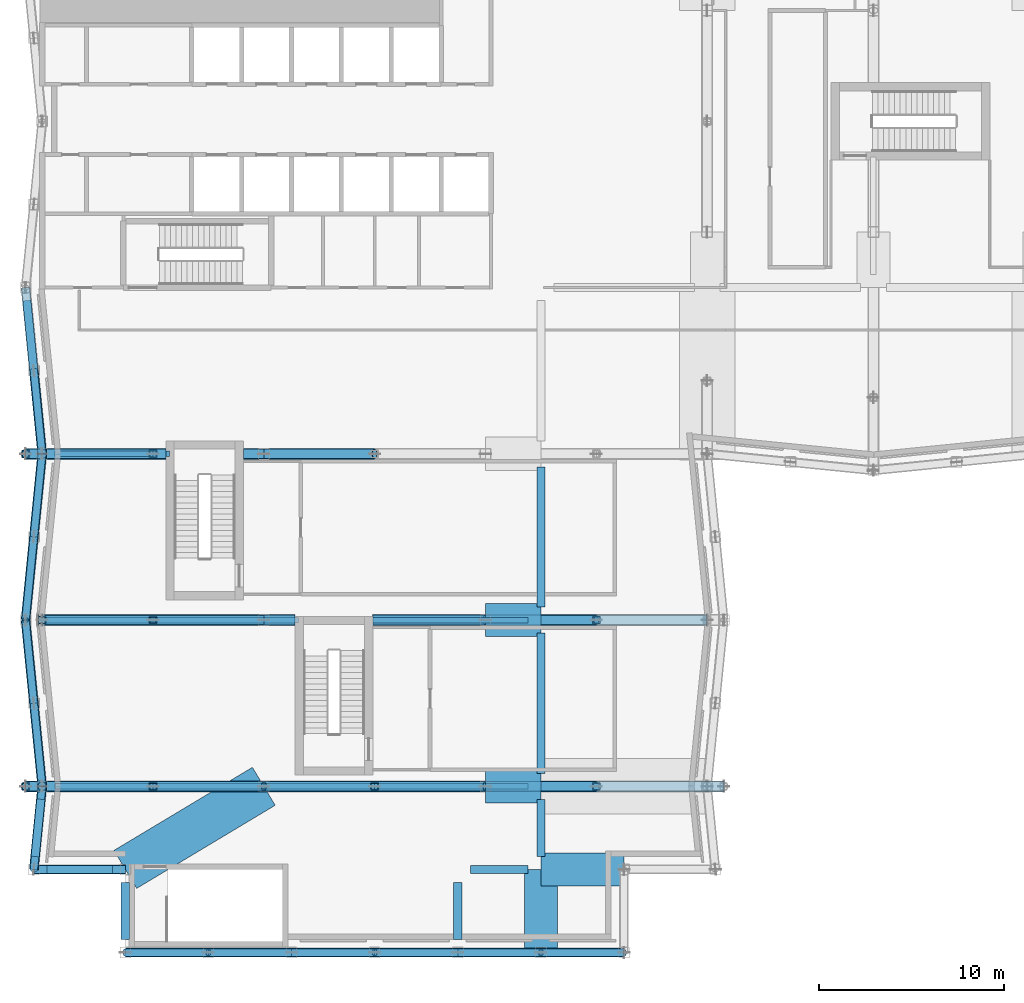
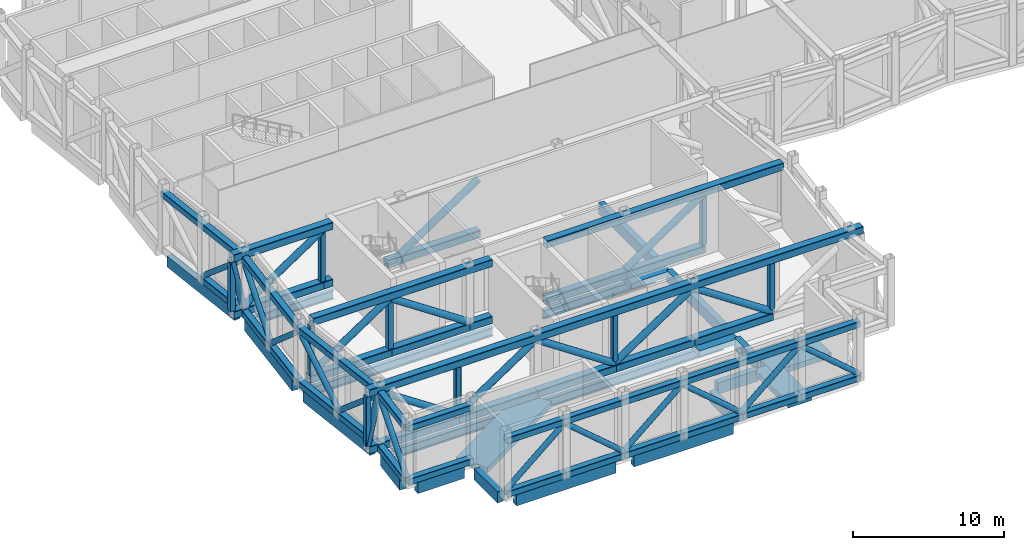
# One storey, part 3 of 22: 72 members, 22 beams.
"""IFC4 building model written with IfcOpenShell, lengths in metres."""

from ifc_helpers import new_model, si_unit, direction, frame, origin, origin_2d, place, context, subcontext, project, spatial, rectangle, hollow_rectangle, hollow_circle, i_section, extrude, material, material_profile, profile_set, type_object, element, save


model = new_model("IFC4")

# Units and contexts
model_context = context("Model", 3, precision=1e-05, world=origin(), true_north=direction((0.0, 1.0)))
body_context = subcontext(model_context, "Body", "Model", "MODEL_VIEW")
ifc_project = project(units=[si_unit("LENGTHUNIT", "METRE"), si_unit("AREAUNIT", "SQUARE_METRE"), si_unit("VOLUMEUNIT", "CUBIC_METRE"), si_unit("PLANEANGLEUNIT", "RADIAN"), si_unit("MASSUNIT", "GRAM", prefix="KILO")], contexts=[model_context])

# Site, building, storey
site_placement = place(None, origin())
site = spatial("IfcSite", under=ifc_project, at=site_placement, CompositionType="ELEMENT")
building_placement = place(site_placement, origin())
building = spatial("IfcBuilding", under=site, at=building_placement, Name="Brondeck Convention Tower", CompositionType="ELEMENT")
storey_placement = place(building_placement, frame((0.0, 0.0, 32.0)))
storey = spatial("IfcBuildingStorey", under=building, at=storey_placement, Name="L05", CompositionType="ELEMENT", Elevation=32.0)

# Beams
ifc_material_1 = material(Name="Concrete C80/95", Category="concrete")
ifc_material_profile_1 = material_profile(ifc_material_1, rectangle(XDim=1.800048828125, YDim=0.43994140625, at=origin_2d()), Name="Band beam 1800x440 Concrete C80/95")
ifc_profile_set_1 = profile_set([ifc_material_profile_1], Name="Concrete C80/95")
beam_type_1 = type_object("IfcBeamType", Name="Band beam 1800x440 Concrete C80/95", PredefinedType="BEAM", material=ifc_profile_set_1)
for number, where, z_axis, x_axis, name in (
    (1, (24.0, 9.0, -0.219970703125), (1.0, 0.0, 0.0), (0.0, 1.0, 0.0), "Band beam L05-2"),
    (2, (24.0, 18.0, -0.219970703125), (1.0, 0.0, 0.0), (0.0, 1.0, 0.0), "Band beam L05-3"),
):
    element("IfcBeam", number, at=place(storey_placement, frame(where, z_axis=z_axis, x_axis=x_axis)), inside=storey, type_object=beam_type_1, Name=name, PredefinedType="BEAM", context=body_context, shape_type="SweptSolid", body=[
        extrude(rectangle(XDim=1.800048828125, YDim=0.43994140625, at=origin_2d()), origin(), (0.0, 0.0, 1.0), 3.0),
    ])
for number, where, z_axis, x_axis, name in (
    (3, (27.0, 0.0, -0.219970703125), (0.0, 1.0, 0.0), (-1.0, 0.0, 0.0), "Band beam L05-5"),
    (4, (31.5, 4.5, -0.219970703125), (-1.0, 0.0, 0.0), (0.0, -1.0, 0.0), "Band beam L05-6"),
):
    element("IfcBeam", number, at=place(storey_placement, frame(where, z_axis=z_axis, x_axis=x_axis)), inside=storey, type_object=beam_type_1, Name=name, PredefinedType="BEAM", context=body_context, shape_type="SweptSolid", body=[
        extrude(rectangle(XDim=1.800048828125, YDim=0.43994140625, at=origin_2d()), origin(), (0.0, 0.0, 1.0), 4.5),
    ])
ifc_material_profile_2 = material_profile(ifc_material_1, rectangle(XDim=2.39990234375, YDim=0.43994140625, at=origin_2d()), Name="Band beam 2400x440 Concrete C80/95")
ifc_profile_set_2 = profile_set([ifc_material_profile_2], Name="Concrete C80/95")
beam_type_2 = type_object("IfcBeamType", Name="Band beam 2400x440 Concrete C80/95", PredefinedType="BEAM", material=ifc_profile_set_2)
beam_1_placement = place(storey_placement, frame((12.0, 9.0, -0.219970703125), z_axis=(-0.857492925713, -0.514495755428, 0.0), x_axis=(0.514495755428, -0.857492925713, 0.0)))
element("IfcBeam", 5, at=beam_1_placement, inside=storey, type_object=beam_type_2, Name="Band beam L05-1", PredefinedType="BEAM", context=body_context, shape_type="SweptSolid", body=[
    extrude(rectangle(XDim=2.39990234375, YDim=0.43994140625, at=origin_2d()), origin(), (0.0, 0.0, 1.0), 8.746337890625),
])
ifc_material_profile_3 = material_profile(ifc_material_1, rectangle(XDim=0.449951171875, YDim=0.89990234375, at=origin_2d()), Name="Edge beam 450x900 Concrete C80/95")
ifc_profile_set_3 = profile_set([ifc_material_profile_3], Name="Concrete C80/95")
beam_type_3 = type_object("IfcBeamType", Name="Edge beam 450x900 Concrete C80/95", PredefinedType="BEAM", material=ifc_profile_set_3)
for number, where, z_axis, x_axis, name in (
    (6, (5.199951171875, 0.0, -0.449951171875), (1.0, 0.0, 0.0), (0.0, 1.0, 0.0), "STR-SP-L05-001"),
    (7, (14.199951171875, 0.0, -0.449951171875), (1.0, 0.0, 0.0), (0.0, 1.0, 0.0), "STR-SP-L05-002"),
):
    element("IfcBeam", number, at=place(storey_placement, frame(where, z_axis=z_axis, x_axis=x_axis)), inside=storey, type_object=beam_type_3, Name=name, PredefinedType="BEAM", context=body_context, shape_type="SweptSolid", body=[
        extrude(rectangle(XDim=0.449951171875, YDim=0.89990234375, at=origin_2d()), origin(), (0.0, 0.0, 1.0), 7.60009765625),
    ])
for number, where, z_axis, x_axis, name in (
    (8, (22.5, 0.699951171875, -0.449951171875), (0.0, 1.0, 0.0), (-1.0, 0.0, 0.0), "STR-SP-L05-003"),
    (9, (23.199951171875, 4.5, -0.449951171875), (1.0, 0.0, 0.0), (0.0, 1.0, 0.0), "STR-SP-L05-004"),
    (10, (27.0, 5.199951171875, -0.449951171875), (0.0, 1.0, 0.0), (-1.0, 0.0, 0.0), "STR-SP-L05-005"),
):
    element("IfcBeam", number, at=place(storey_placement, frame(where, z_axis=z_axis, x_axis=x_axis)), inside=storey, type_object=beam_type_3, Name=name, PredefinedType="BEAM", context=body_context, shape_type="SweptSolid", body=[
        extrude(rectangle(XDim=0.449951171875, YDim=0.89990234375, at=origin_2d()), origin(), (0.0, 0.0, 1.0), 3.10009765625),
    ])
for number, where, z_axis, x_axis, name in (
    (11, (27.0, 9.699951171875, -0.449951171875), (0.0, 1.0, 0.0), (-1.0, 0.0, 0.0), "STR-SP-L05-006"),
    (12, (27.0, 18.699951171875, -0.449951171875), (0.0, 1.0, 0.0), (-1.0, 0.0, 0.0), "STR-SP-L05-007"),
):
    element("IfcBeam", number, at=place(storey_placement, frame(where, z_axis=z_axis, x_axis=x_axis)), inside=storey, type_object=beam_type_3, Name=name, PredefinedType="BEAM", context=body_context, shape_type="SweptSolid", body=[
        extrude(rectangle(XDim=0.449951171875, YDim=0.89990234375, at=origin_2d()), origin(), (0.0, 0.0, 1.0), 7.60009765625),
    ])
for number, where, z_axis, x_axis, name in (
    (13, (-0.830078125, 35.300048828125, -0.449951171875), (0.099503719021, -0.99503719021, 0.0), (0.99503719021, 0.099503719021, 0.0), "STR-SP-L05-033"),
    (14, (-0.070068359375, 26.300048828125, -0.449951171875), (-0.099503719021, -0.99503719021, 0.0), (0.99503719021, -0.099503719021, 0.0), "STR-SP-L05-034"),
    (15, (-0.830078125, 17.300048828125, -0.449951171875), (0.099503719021, -0.99503719021, 0.0), (0.99503719021, 0.099503719021, 0.0), "STR-SP-L05-035"),
):
    element("IfcBeam", number, at=place(storey_placement, frame(where, z_axis=z_axis, x_axis=x_axis)), inside=storey, type_object=beam_type_3, Name=name, PredefinedType="BEAM", context=body_context, shape_type="SweptSolid", body=[
        extrude(rectangle(XDim=0.449951171875, YDim=0.89990234375, at=origin_2d()), origin(), (0.0, 0.0, 1.0), 7.637939453125),
    ])
beam_2_placement = place(storey_placement, frame((-0.070068359375, 8.300048828125, -0.449951171875), z_axis=(-0.099441649747, -0.995043395182, 0.0), x_axis=(0.995043395182, -0.099441649747, 0.0)))
element("IfcBeam", 16, at=beam_2_placement, inside=storey, type_object=beam_type_3, Name="STR-SP-L05-036", PredefinedType="BEAM", context=body_context, shape_type="SweptSolid", body=[
    extrude(rectangle(XDim=0.449951171875, YDim=0.89990234375, at=origin_2d()), origin(), (0.0, 0.0, 1.0), 3.115478515625),
])
beam_3_placement = place(storey_placement, frame((0.25, 4.5, -0.449951171875), z_axis=(1.0, 0.0, 0.0), x_axis=(0.0, 1.0, 0.0)))
element("IfcBeam", 17, at=beam_3_placement, inside=storey, type_object=beam_type_3, Name="STR-SP-L05-037", PredefinedType="BEAM", context=body_context, shape_type="SweptSolid", body=[
    extrude(rectangle(XDim=0.449951171875, YDim=0.89990234375, at=origin_2d()), origin(), (0.0, 0.0, 1.0), 3.550048828125),
])
beam_4_placement = place(storey_placement, frame((4.5, 3.800048828125, -0.449951171875), z_axis=(0.0, -1.0, 0.0), x_axis=(1.0, 0.0, 0.0)))
element("IfcBeam", 18, at=beam_4_placement, inside=storey, type_object=beam_type_3, Name="STR-SP-L05-038", PredefinedType="BEAM", context=body_context, shape_type="SweptSolid", body=[
    extrude(rectangle(XDim=0.449951171875, YDim=0.89990234375, at=origin_2d()), origin(), (0.0, 0.0, 1.0), 3.10009765625),
])
ifc_material_2 = material(Name="Steel S355", Category="steel")
ifc_material_profile_4 = material_profile(ifc_material_2, i_section(OverallWidth=0.300048828125, OverallDepth=0.699951171875, WebThickness=0.01708984375, FlangeThickness=0.031982421875, FilletRadius=0.027099609375, at=origin_2d()), Name="HEB 700")
ifc_profile_set_4 = profile_set([ifc_material_profile_4], Name="Steel S355")
beam_type_4 = type_object("IfcBeamType", Name="Girder HEB 700", PredefinedType="BEAM", material=ifc_profile_set_4)
beam_5_placement = place(storey_placement, frame((0.699951171875, 9.0, -0.800048828125), z_axis=(1.0, 0.0, 0.0), x_axis=(0.0, 1.0, 0.0)))
element("IfcBeam", 19, at=beam_5_placement, inside=storey, type_object=beam_type_4, Name="STR-GR-L05-007", PredefinedType="BEAM", context=body_context, shape_type="SweptSolid", body=[
    extrude(i_section(OverallWidth=0.300048828125, OverallDepth=0.699951171875, WebThickness=0.01708984375, FlangeThickness=0.031982421875, FilletRadius=0.027099609375, at=origin_2d()), origin(), (0.0, 0.0, 1.0), 25.60009765625),
])
beam_6_placement = place(storey_placement, frame((-0.199951171875, 18.0, -0.800048828125), z_axis=(1.0, 0.0, 0.0), x_axis=(0.0, 1.0, 0.0)))
element("IfcBeam", 20, at=beam_6_placement, inside=storey, type_object=beam_type_4, Name="STR-GR-L05-008", PredefinedType="BEAM", context=body_context, shape_type="SweptSolid", body=[
    extrude(i_section(OverallWidth=0.300048828125, OverallDepth=0.699951171875, WebThickness=0.01708984375, FlangeThickness=0.031982421875, FilletRadius=0.027099609375, at=origin_2d()), origin(), (0.0, 0.0, 1.0), 14.079833984375),
])
beam_7_placement = place(storey_placement, frame((17.719970703125, 18.0, -0.800048828125), z_axis=(1.0, 0.0, 0.0), x_axis=(0.0, 1.0, 0.0)))
element("IfcBeam", 21, at=beam_7_placement, inside=storey, type_object=beam_type_4, Name="STR-GR-L05-009", PredefinedType="BEAM", context=body_context, shape_type="SweptSolid", body=[
    extrude(i_section(OverallWidth=0.300048828125, OverallDepth=0.699951171875, WebThickness=0.01708984375, FlangeThickness=0.031982421875, FilletRadius=0.027099609375, at=origin_2d()), origin(), (0.0, 0.0, 1.0), 8.580078125),
])
beam_8_placement = place(storey_placement, frame((0.699951171875, 27.0, -0.800048828125), z_axis=(1.0, 0.0, 0.0), x_axis=(0.0, 1.0, 0.0)))
element("IfcBeam", 22, at=beam_8_placement, inside=storey, type_object=beam_type_4, Name="STR-GR-L05-010", PredefinedType="BEAM", context=body_context, shape_type="SweptSolid", body=[
    extrude(i_section(OverallWidth=0.300048828125, OverallDepth=0.699951171875, WebThickness=0.01708984375, FlangeThickness=0.031982421875, FilletRadius=0.027099609375, at=origin_2d()), origin(), (0.0, 0.0, 1.0), 6.179931640625),
])

# Members
ifc_material_3 = material(Name="Steel S460", Category="steel")
ifc_material_profile_5 = material_profile(ifc_material_3, hollow_rectangle(XDim=0.5, YDim=0.5, WallThickness=0.02490234375, InnerFilletRadius=0.02490234375, OuterFilletRadius=0.050048828125, at=origin_2d()), Name="RHS 500x500x25")
ifc_profile_set_5 = profile_set([ifc_material_profile_5], Name="Steel S460")
member_type_1 = type_object("IfcMemberType", Name="Truss chord RHS 500x500x25", PredefinedType="CHORD", material=ifc_profile_set_5)
member_1_placement = place(storey_placement, frame((4.5, 0.0, 4.60009765625), z_axis=(1.0, 0.0, 0.0), x_axis=(0.0, 1.0, 0.0)))
element("IfcMember", 23, at=member_1_placement, inside=storey, type_object=member_type_1, Name="Transfer truss T1-P1 chord", PredefinedType="CHORD", context=body_context, shape_type="SweptSolid", body=[
    extrude(hollow_rectangle(XDim=0.5, YDim=0.5, WallThickness=0.02490234375, InnerFilletRadius=0.02490234375, OuterFilletRadius=0.050048828125, at=origin_2d()), origin(), (0.0, 0.0, 1.0), 27.0),
])
for number, where, z_axis, x_axis, name in (
    (24, (-0.89990234375, 36.0, 4.60009765625), (0.099493029059, -0.995038259148, 0.0), (0.995038259148, 0.099493029059, 0.0), "Transfer truss T1-P1 chord"),
    (25, (0.0, 27.0, 4.60009765625), (-0.099493029059, -0.995038259148, 0.0), (0.995038259148, -0.099493029059, 0.0), "Transfer truss T1-P1 chord"),
    (26, (-0.89990234375, 18.0, 4.60009765625), (0.099493029059, -0.995038259148, 0.0), (0.995038259148, 0.099493029059, 0.0), "Transfer truss T1-P1 chord"),
):
    element("IfcMember", number, at=place(storey_placement, frame(where, z_axis=z_axis, x_axis=x_axis)), inside=storey, type_object=member_type_1, Name=name, PredefinedType="CHORD", context=body_context, shape_type="SweptSolid", body=[
        extrude(hollow_rectangle(XDim=0.5, YDim=0.5, WallThickness=0.02490234375, InnerFilletRadius=0.02490234375, OuterFilletRadius=0.050048828125, at=origin_2d()), origin(), (0.0, 0.0, 1.0), 9.044921875),
    ])
member_2_placement = place(storey_placement, frame((0.0, 9.0, 4.60009765625), z_axis=(-0.099493029059, -0.995038259148, 0.0), x_axis=(0.995038259148, -0.099493029059, 0.0)))
element("IfcMember", 27, at=member_2_placement, inside=storey, type_object=member_type_1, Name="Transfer truss T1-P1 chord", PredefinedType="CHORD", context=body_context, shape_type="SweptSolid", body=[
    extrude(hollow_rectangle(XDim=0.5, YDim=0.5, WallThickness=0.02490234375, InnerFilletRadius=0.02490234375, OuterFilletRadius=0.050048828125, at=origin_2d()), origin(), (0.0, 0.0, 1.0), 4.5224609375),
])
member_3_placement = place(storey_placement, frame((-0.449951171875, 4.5, 4.60009765625), z_axis=(1.0, 0.0, 0.0), x_axis=(0.0, 1.0, 0.0)))
element("IfcMember", 28, at=member_3_placement, inside=storey, type_object=member_type_1, Name="Transfer truss T1-P1 chord", PredefinedType="CHORD", context=body_context, shape_type="SweptSolid", body=[
    extrude(hollow_rectangle(XDim=0.5, YDim=0.5, WallThickness=0.02490234375, InnerFilletRadius=0.02490234375, OuterFilletRadius=0.050048828125, at=origin_2d()), origin(), (0.0, 0.0, 1.0), 4.949951171875),
])
for number, where, z_axis, x_axis, name in (
    (29, (4.5, 0.0, 0.25), (1.0, 0.0, 0.0), (0.0, 1.0, 0.0), "Transfer truss T1-P1 chord"),
    (30, (9.0, 0.0, 0.25), (1.0, 0.0, 0.0), (0.0, 1.0, 0.0), "Transfer truss T1-P1 chord"),
    (31, (13.5, 0.0, 0.25), (1.0, 0.0, 0.0), (0.0, 1.0, 0.0), "Transfer truss T1-P1 chord"),
    (32, (18.0, 0.0, 0.25), (1.0, 0.0, 0.0), (0.0, 1.0, 0.0), "Transfer truss T1-P1 chord"),
    (33, (22.5, 0.0, 0.25), (1.0, 0.0, 0.0), (0.0, 1.0, 0.0), "Transfer truss T1-P1 chord"),
    (34, (27.0, 0.0, 0.25), (1.0, 0.0, 0.0), (0.0, 1.0, 0.0), "Transfer truss T1-P1 chord"),
):
    element("IfcMember", number, at=place(storey_placement, frame(where, z_axis=z_axis, x_axis=x_axis)), inside=storey, type_object=member_type_1, Name=name, PredefinedType="CHORD", context=body_context, shape_type="SweptSolid", body=[
        extrude(hollow_rectangle(XDim=0.5, YDim=0.5, WallThickness=0.02490234375, InnerFilletRadius=0.02490234375, OuterFilletRadius=0.050048828125, at=origin_2d()), origin(), (0.0, 0.0, 1.0), 4.5),
    ])
for number, where, z_axis, x_axis, name in (
    (35, (-0.449951171875, 31.5, 0.25), (0.099493029059, -0.995038259148, 0.0), (0.995038259148, 0.099493029059, 0.0), "Transfer truss T1-P1 chord"),
    (36, (0.0, 27.0, 0.25), (-0.099493029059, -0.995038259148, 0.0), (0.995038259148, -0.099493029059, 0.0), "Transfer truss T1-P1 chord"),
    (37, (-0.449951171875, 22.5, 0.25), (-0.099493029059, -0.995038259148, 0.0), (0.995038259148, -0.099493029059, 0.0), "Transfer truss T1-P1 chord"),
    (38, (-0.89990234375, 18.0, 0.25), (0.099493029059, -0.995038259148, 0.0), (0.995038259148, 0.099493029059, 0.0), "Transfer truss T1-P1 chord"),
    (39, (-0.449951171875, 13.5, 0.25), (0.099493029059, -0.995038259148, 0.0), (0.995038259148, 0.099493029059, 0.0), "Transfer truss T1-P1 chord"),
    (40, (0.0, 9.0, 0.25), (-0.099493029059, -0.995038259148, 0.0), (0.995038259148, -0.099493029059, 0.0), "Transfer truss T1-P1 chord"),
):
    element("IfcMember", number, at=place(storey_placement, frame(where, z_axis=z_axis, x_axis=x_axis)), inside=storey, type_object=member_type_1, Name=name, PredefinedType="CHORD", context=body_context, shape_type="SweptSolid", body=[
        extrude(hollow_rectangle(XDim=0.5, YDim=0.5, WallThickness=0.02490234375, InnerFilletRadius=0.02490234375, OuterFilletRadius=0.050048828125, at=origin_2d()), origin(), (0.0, 0.0, 1.0), 4.5224609375),
    ])
member_4_placement = place(storey_placement, frame((-0.449951171875, 4.5, 0.25), z_axis=(1.0, 0.0, 0.0), x_axis=(0.0, 1.0, 0.0)))
element("IfcMember", 41, at=member_4_placement, inside=storey, type_object=member_type_1, Name="Transfer truss T1-P1 chord", PredefinedType="CHORD", context=body_context, shape_type="SweptSolid", body=[
    extrude(hollow_rectangle(XDim=0.5, YDim=0.5, WallThickness=0.02490234375, InnerFilletRadius=0.02490234375, OuterFilletRadius=0.050048828125, at=origin_2d()), origin(), (0.0, 0.0, 1.0), 4.949951171875),
])
ifc_material_profile_6 = material_profile(ifc_material_3, hollow_rectangle(XDim=0.60009765625, YDim=0.60009765625, WallThickness=0.030029296875, InnerFilletRadius=0.030029296875, OuterFilletRadius=0.06005859375, at=origin_2d()), Name="RHS 600x600x30")
ifc_profile_set_6 = profile_set([ifc_material_profile_6], Name="Steel S460")
member_type_2 = type_object("IfcMemberType", Name="Truss chord RHS 600x600x30", PredefinedType="CHORD", material=ifc_profile_set_6)
member_5_placement = place(storey_placement, frame((6.699951171875, 27.0, 4.89990234375), z_axis=(-1.0, 0.0, 0.0), x_axis=(0.0, -1.0, 0.0)))
element("IfcMember", 42, at=member_5_placement, inside=storey, type_object=member_type_2, Name="Transfer truss T1-B1 chord", PredefinedType="CHORD", context=body_context, shape_type="SweptSolid", body=[
    extrude(hollow_rectangle(XDim=0.60009765625, YDim=0.60009765625, WallThickness=0.030029296875, InnerFilletRadius=0.030029296875, OuterFilletRadius=0.06005859375, at=origin_2d()), origin(), (0.0, 0.0, 1.0), 7.599853515625),
])
member_6_placement = place(storey_placement, frame((18.0, 27.0, 0.300048828125), z_axis=(-1.0, 0.0, 0.0), x_axis=(0.0, -1.0, 0.0)))
element("IfcMember", 43, at=member_6_placement, inside=storey, type_object=member_type_2, Name="Transfer truss T1-B1 chord", PredefinedType="CHORD", context=body_context, shape_type="SweptSolid", body=[
    extrude(hollow_rectangle(XDim=0.60009765625, YDim=0.60009765625, WallThickness=0.030029296875, InnerFilletRadius=0.030029296875, OuterFilletRadius=0.06005859375, at=origin_2d()), origin(), (0.0, 0.0, 1.0), 6.0),
])
member_7_placement = place(storey_placement, frame((12.0, 27.0, 0.300048828125), z_axis=(-1.0, 0.0, 0.0), x_axis=(0.0, -1.0, 0.0)))
element("IfcMember", 44, at=member_7_placement, inside=storey, type_object=member_type_2, Name="Transfer truss T1-B1 chord", PredefinedType="CHORD", context=body_context, shape_type="SweptSolid", body=[
    extrude(hollow_rectangle(XDim=0.60009765625, YDim=0.60009765625, WallThickness=0.030029296875, InnerFilletRadius=0.030029296875, OuterFilletRadius=0.06005859375, at=origin_2d()), origin(), (0.0, 0.0, 1.0), 1.10009765625),
])
member_8_placement = place(storey_placement, frame((6.699951171875, 27.0, 0.300048828125), z_axis=(-1.0, 0.0, 0.0), x_axis=(0.0, -1.0, 0.0)))
element("IfcMember", 45, at=member_8_placement, inside=storey, type_object=member_type_2, Name="Transfer truss T1-B1 chord", PredefinedType="CHORD", context=body_context, shape_type="SweptSolid", body=[
    extrude(hollow_rectangle(XDim=0.60009765625, YDim=0.60009765625, WallThickness=0.030029296875, InnerFilletRadius=0.030029296875, OuterFilletRadius=0.06005859375, at=origin_2d()), origin(), (0.0, 0.0, 1.0), 0.699951171875),
])
member_9_placement = place(storey_placement, frame((6.0, 27.0, 0.300048828125), z_axis=(-1.0, 0.0, 0.0), x_axis=(0.0, -1.0, 0.0)))
element("IfcMember", 46, at=member_9_placement, inside=storey, type_object=member_type_2, Name="Transfer truss T1-B1 chord", PredefinedType="CHORD", context=body_context, shape_type="SweptSolid", body=[
    extrude(hollow_rectangle(XDim=0.60009765625, YDim=0.60009765625, WallThickness=0.030029296875, InnerFilletRadius=0.030029296875, OuterFilletRadius=0.06005859375, at=origin_2d()), origin(), (0.0, 0.0, 1.0), 6.0),
])
member_10_placement = place(storey_placement, frame((0.0, 27.0, 0.300048828125), z_axis=(-1.0, 0.0, 0.0), x_axis=(0.0, -1.0, 0.0)))
element("IfcMember", 47, at=member_10_placement, inside=storey, type_object=member_type_2, Name="Transfer truss T1-B1 chord", PredefinedType="CHORD", context=body_context, shape_type="SweptSolid", body=[
    extrude(hollow_rectangle(XDim=0.60009765625, YDim=0.60009765625, WallThickness=0.030029296875, InnerFilletRadius=0.030029296875, OuterFilletRadius=0.06005859375, at=origin_2d()), origin(), (0.0, 0.0, 1.0), 0.89990234375),
])
member_11_placement = place(storey_placement, frame((36.0, 18.0, 4.89990234375), z_axis=(-1.0, 0.0, 0.0), x_axis=(0.0, -1.0, 0.0)))
element("IfcMember", 48, at=member_11_placement, inside=storey, type_object=member_type_2, Name="Transfer truss T1-B2 chord", PredefinedType="CHORD", context=body_context, shape_type="SweptSolid", body=[
    extrude(hollow_rectangle(XDim=0.60009765625, YDim=0.60009765625, WallThickness=0.030029296875, InnerFilletRadius=0.030029296875, OuterFilletRadius=0.06005859375, at=origin_2d()), origin(), (0.0, 0.0, 1.0), 18.10009765625),
])
member_12_placement = place(storey_placement, frame((13.699951171875, 18.0, 4.89990234375), z_axis=(-1.0, 0.0, 0.0), x_axis=(0.0, -1.0, 0.0)))
element("IfcMember", 49, at=member_12_placement, inside=storey, type_object=member_type_2, Name="Transfer truss T1-B2 chord", PredefinedType="CHORD", context=body_context, shape_type="SweptSolid", body=[
    extrude(hollow_rectangle(XDim=0.60009765625, YDim=0.60009765625, WallThickness=0.030029296875, InnerFilletRadius=0.030029296875, OuterFilletRadius=0.06005859375, at=origin_2d()), origin(), (0.0, 0.0, 1.0), 13.699951171875),
])
member_13_placement = place(storey_placement, frame((30.0, 18.0, 0.300048828125), z_axis=(-1.0, 0.0, 0.0), x_axis=(0.0, -1.0, 0.0)))
element("IfcMember", 50, at=member_13_placement, inside=storey, type_object=member_type_2, Name="Transfer truss T1-B2 chord", PredefinedType="CHORD", context=body_context, shape_type="SweptSolid", body=[
    extrude(hollow_rectangle(XDim=0.60009765625, YDim=0.60009765625, WallThickness=0.030029296875, InnerFilletRadius=0.030029296875, OuterFilletRadius=0.06005859375, at=origin_2d()), origin(), (0.0, 0.0, 1.0), 6.0),
])
member_14_placement = place(storey_placement, frame((24.0, 18.0, 0.300048828125), z_axis=(-1.0, 0.0, 0.0), x_axis=(0.0, -1.0, 0.0)))
element("IfcMember", 51, at=member_14_placement, inside=storey, type_object=member_type_2, Name="Transfer truss T1-B2 chord", PredefinedType="CHORD", context=body_context, shape_type="SweptSolid", body=[
    extrude(hollow_rectangle(XDim=0.60009765625, YDim=0.60009765625, WallThickness=0.030029296875, InnerFilletRadius=0.030029296875, OuterFilletRadius=0.06005859375, at=origin_2d()), origin(), (0.0, 0.0, 1.0), 6.1298828125),
])
member_15_placement = place(storey_placement, frame((13.699951171875, 18.0, 0.300048828125), z_axis=(-1.0, 0.0, 0.0), x_axis=(0.0, -1.0, 0.0)))
element("IfcMember", 52, at=member_15_placement, inside=storey, type_object=member_type_2, Name="Transfer truss T1-B2 chord", PredefinedType="CHORD", context=body_context, shape_type="SweptSolid", body=[
    extrude(hollow_rectangle(XDim=0.60009765625, YDim=0.60009765625, WallThickness=0.030029296875, InnerFilletRadius=0.030029296875, OuterFilletRadius=0.06005859375, at=origin_2d()), origin(), (0.0, 0.0, 1.0), 1.699951171875),
])
member_16_placement = place(storey_placement, frame((12.0, 18.0, 0.300048828125), z_axis=(-1.0, 0.0, 0.0), x_axis=(0.0, -1.0, 0.0)))
element("IfcMember", 53, at=member_16_placement, inside=storey, type_object=member_type_2, Name="Transfer truss T1-B2 chord", PredefinedType="CHORD", context=body_context, shape_type="SweptSolid", body=[
    extrude(hollow_rectangle(XDim=0.60009765625, YDim=0.60009765625, WallThickness=0.030029296875, InnerFilletRadius=0.030029296875, OuterFilletRadius=0.06005859375, at=origin_2d()), origin(), (0.0, 0.0, 1.0), 6.0),
])
member_17_placement = place(storey_placement, frame((6.0, 18.0, 0.300048828125), z_axis=(-1.0, 0.0, 0.0), x_axis=(0.0, -1.0, 0.0)))
element("IfcMember", 54, at=member_17_placement, inside=storey, type_object=member_type_2, Name="Transfer truss T1-B2 chord", PredefinedType="CHORD", context=body_context, shape_type="SweptSolid", body=[
    extrude(hollow_rectangle(XDim=0.60009765625, YDim=0.60009765625, WallThickness=0.030029296875, InnerFilletRadius=0.030029296875, OuterFilletRadius=0.06005859375, at=origin_2d()), origin(), (0.0, 0.0, 1.0), 6.22998046875),
])
member_18_placement = place(storey_placement, frame((36.89990234375, 9.0, 4.89990234375), z_axis=(-1.0, 0.0, 0.0), x_axis=(0.0, -1.0, 0.0)))
element("IfcMember", 55, at=member_18_placement, inside=storey, type_object=member_type_2, Name="Transfer truss T1-B3 chord", PredefinedType="CHORD", context=body_context, shape_type="SweptSolid", body=[
    extrude(hollow_rectangle(XDim=0.60009765625, YDim=0.60009765625, WallThickness=0.030029296875, InnerFilletRadius=0.030029296875, OuterFilletRadius=0.06005859375, at=origin_2d()), origin(), (0.0, 0.0, 1.0), 37.7998046875),
])
for number, where, z_axis, x_axis, name in (
    (56, (30.0, 9.0, 0.300048828125), (-1.0, 0.0, 0.0), (0.0, -1.0, 0.0), "Transfer truss T1-B3 chord"),
    (57, (24.0, 9.0, 0.300048828125), (-1.0, 0.0, 0.0), (0.0, -1.0, 0.0), "Transfer truss T1-B3 chord"),
    (58, (18.0, 9.0, 0.300048828125), (-1.0, 0.0, 0.0), (0.0, -1.0, 0.0), "Transfer truss T1-B3 chord"),
    (59, (12.0, 9.0, 0.300048828125), (-1.0, 0.0, 0.0), (0.0, -1.0, 0.0), "Transfer truss T1-B3 chord"),
    (60, (6.0, 9.0, 0.300048828125), (-1.0, 0.0, 0.0), (0.0, -1.0, 0.0), "Transfer truss T1-B3 chord"),
):
    element("IfcMember", number, at=place(storey_placement, frame(where, z_axis=z_axis, x_axis=x_axis)), inside=storey, type_object=member_type_2, Name=name, PredefinedType="CHORD", context=body_context, shape_type="SweptSolid", body=[
        extrude(hollow_rectangle(XDim=0.60009765625, YDim=0.60009765625, WallThickness=0.030029296875, InnerFilletRadius=0.030029296875, OuterFilletRadius=0.06005859375, at=origin_2d()), origin(), (0.0, 0.0, 1.0), 6.0),
    ])
member_19_placement = place(storey_placement, frame((0.0, 9.0, 0.300048828125), z_axis=(-1.0, 0.0, 0.0), x_axis=(0.0, -1.0, 0.0)))
element("IfcMember", 61, at=member_19_placement, inside=storey, type_object=member_type_2, Name="Transfer truss T1-B3 chord", PredefinedType="CHORD", context=body_context, shape_type="SweptSolid", body=[
    extrude(hollow_rectangle(XDim=0.60009765625, YDim=0.60009765625, WallThickness=0.030029296875, InnerFilletRadius=0.030029296875, OuterFilletRadius=0.06005859375, at=origin_2d()), origin(), (0.0, 0.0, 1.0), 0.89990234375),
])
ifc_material_profile_7 = material_profile(ifc_material_3, hollow_circle(Radius=0.203125, WallThickness=0.02490234375, at=origin_2d()), Name="CHS 406.4x25")
ifc_profile_set_7 = profile_set([ifc_material_profile_7], Name="Steel S460")
member_type_3 = type_object("IfcMemberType", Name="Truss diagonal CHS 406.4x25", PredefinedType="BRACE", material=ifc_profile_set_7)
for number, where, z_axis, x_axis, name in (
    (62, (4.5, 0.0, 0.5), (0.759844100981, 0.0, 0.650105331623), (0.0, 1.0, 0.0), "Transfer truss T1-P1 diagonal"),
    (63, (9.0, 0.0, 4.35009765625), (0.759844100981, 0.0, -0.650105331623), (0.0, 1.0, 0.0), "Transfer truss T1-P1 diagonal"),
    (64, (13.5, 0.0, 0.5), (0.759844100981, 0.0, 0.650105331623), (0.0, 1.0, 0.0), "Transfer truss T1-P1 diagonal"),
    (65, (18.0, 0.0, 4.35009765625), (0.759844100981, 0.0, -0.650105331623), (0.0, 1.0, 0.0), "Transfer truss T1-P1 diagonal"),
    (66, (22.5, 0.0, 0.5), (0.759844100981, 0.0, 0.650105331623), (0.0, 1.0, 0.0), "Transfer truss T1-P1 diagonal"),
    (67, (27.0, 0.0, 4.35009765625), (0.759844100981, 0.0, -0.650105331623), (0.0, 1.0, 0.0), "Transfer truss T1-P1 diagonal"),
):
    element("IfcMember", number, at=place(storey_placement, frame(where, z_axis=z_axis, x_axis=x_axis)), inside=storey, type_object=member_type_3, Name=name, PredefinedType="BRACE", context=body_context, shape_type="SweptSolid", body=[
        extrude(hollow_circle(Radius=0.203125, WallThickness=0.02490234375, at=origin_2d()), origin(), (0.0, 0.0, 1.0), 5.92236328125),
    ])
for number, where, z_axis, x_axis, name in (
    (68, (-0.449951171875, 31.5, 0.5), (0.07575782849, -0.757660496322, 0.648237089139), (0.995038259148, 0.099493029059, 0.0), "Transfer truss T1-P1 diagonal"),
    (69, (0.0, 27.0, 4.35009765625), (-0.07575782849, -0.757660496322, -0.648237089139), (0.995038259148, -0.099493029059, 0.0), "Transfer truss T1-P1 diagonal"),
    (70, (-0.449951171875, 22.5, 0.5), (-0.07575782849, -0.757660496322, 0.648237089139), (0.995038259148, -0.099493029059, 0.0), "Transfer truss T1-P1 diagonal"),
    (71, (-0.89990234375, 18.0, 4.35009765625), (0.07575782849, -0.757660496322, -0.648237089139), (0.995038259148, 0.099493029059, 0.0), "Transfer truss T1-P1 diagonal"),
    (72, (-0.449951171875, 13.5, 0.5), (0.07575782849, -0.757660496322, 0.648237089139), (0.995038259148, 0.099493029059, 0.0), "Transfer truss T1-P1 diagonal"),
    (73, (0.0, 9.0, 4.35009765625), (-0.07575782849, -0.757660496322, -0.648237089139), (0.995038259148, -0.099493029059, 0.0), "Transfer truss T1-P1 diagonal"),
):
    element("IfcMember", number, at=place(storey_placement, frame(where, z_axis=z_axis, x_axis=x_axis)), inside=storey, type_object=member_type_3, Name=name, PredefinedType="BRACE", context=body_context, shape_type="SweptSolid", body=[
        extrude(hollow_circle(Radius=0.203125, WallThickness=0.02490234375, at=origin_2d()), origin(), (0.0, 0.0, 1.0), 5.939453125),
    ])
ifc_material_profile_8 = material_profile(ifc_material_3, hollow_circle(Radius=0.25390625, WallThickness=0.030029296875, at=origin_2d()), Name="CHS 508x30")
ifc_profile_set_8 = profile_set([ifc_material_profile_8], Name="Steel S460")
member_type_4 = type_object("IfcMemberType", Name="Truss diagonal CHS 508x30", PredefinedType="BRACE", material=ifc_profile_set_8)
for number, where, z_axis, x_axis, name in (
    (74, (18.0, 27.0, 4.60009765625), (-0.832050294338, 0.0, -0.554700196225), (0.0, -1.0, 0.0), "Transfer truss T1-B1 diagonal"),
    (75, (6.0, 27.0, 4.60009765625), (-0.832050294338, 0.0, -0.554700196225), (0.0, -1.0, 0.0), "Transfer truss T1-B1 diagonal"),
):
    element("IfcMember", number, at=place(storey_placement, frame(where, z_axis=z_axis, x_axis=x_axis)), inside=storey, type_object=member_type_4, Name=name, PredefinedType="BRACE", context=body_context, shape_type="SweptSolid", body=[
        extrude(hollow_circle(Radius=0.25390625, WallThickness=0.030029296875, at=origin_2d()), origin(), (0.0, 0.0, 1.0), 7.211181640625),
    ])
member_20_placement = place(storey_placement, frame((0.0, 27.0, 0.60009765625), z_axis=(-0.21948952406, 0.0, 0.97561485681), x_axis=(0.0, -1.0, 0.0)))
element("IfcMember", 76, at=member_20_placement, inside=storey, type_object=member_type_4, Name="Transfer truss T1-B1 diagonal", PredefinedType="BRACE", context=body_context, shape_type="SweptSolid", body=[
    extrude(hollow_circle(Radius=0.25390625, WallThickness=0.030029296875, at=origin_2d()), origin(), (0.0, 0.0, 1.0), 4.10009765625),
])
for number, where, z_axis, x_axis, name in (
    (77, (30.0, 18.0, 4.60009765625), (-0.832050294338, 0.0, -0.554700196225), (0.0, -1.0, 0.0), "Transfer truss T1-B2 diagonal"),
    (78, (12.0, 18.0, 0.60009765625), (-0.832050294338, 0.0, 0.554700196225), (0.0, -1.0, 0.0), "Transfer truss T1-B2 diagonal"),
    (79, (6.0, 18.0, 4.60009765625), (-0.832050294338, 0.0, -0.554700196225), (0.0, -1.0, 0.0), "Transfer truss T1-B2 diagonal"),
    (80, (30.0, 9.0, 0.60009765625), (-0.832050294338, 0.0, 0.554700196225), (0.0, -1.0, 0.0), "Transfer truss T1-B3 diagonal"),
    (81, (24.0, 9.0, 4.60009765625), (-0.832050294338, 0.0, -0.554700196225), (0.0, -1.0, 0.0), "Transfer truss T1-B3 diagonal"),
    (82, (18.0, 9.0, 0.60009765625), (-0.832050294338, 0.0, 0.554700196225), (0.0, -1.0, 0.0), "Transfer truss T1-B3 diagonal"),
    (83, (12.0, 9.0, 4.60009765625), (-0.832050294338, 0.0, -0.554700196225), (0.0, -1.0, 0.0), "Transfer truss T1-B3 diagonal"),
    (84, (6.0, 9.0, 0.60009765625), (-0.832050294338, 0.0, 0.554700196225), (0.0, -1.0, 0.0), "Transfer truss T1-B3 diagonal"),
):
    element("IfcMember", number, at=place(storey_placement, frame(where, z_axis=z_axis, x_axis=x_axis)), inside=storey, type_object=member_type_4, Name=name, PredefinedType="BRACE", context=body_context, shape_type="SweptSolid", body=[
        extrude(hollow_circle(Radius=0.25390625, WallThickness=0.030029296875, at=origin_2d()), origin(), (0.0, 0.0, 1.0), 7.211181640625),
    ])
member_21_placement = place(storey_placement, frame((0.0, 9.0, 4.60009765625), z_axis=(-0.21948952406, 0.0, -0.97561485681), x_axis=(0.0, -1.0, 0.0)))
element("IfcMember", 85, at=member_21_placement, inside=storey, type_object=member_type_4, Name="Transfer truss T1-B3 diagonal", PredefinedType="BRACE", context=body_context, shape_type="SweptSolid", body=[
    extrude(hollow_circle(Radius=0.25390625, WallThickness=0.030029296875, at=origin_2d()), origin(), (0.0, 0.0, 1.0), 4.10009765625),
])
ifc_material_profile_9 = material_profile(ifc_material_3, hollow_rectangle(XDim=0.39990234375, YDim=0.39990234375, WallThickness=0.02001953125, InnerFilletRadius=0.02001953125, OuterFilletRadius=0.0400390625, at=origin_2d()), Name="RHS 400x400x20")
ifc_profile_set_9 = profile_set([ifc_material_profile_9], Name="Steel S460")
member_type_5 = type_object("IfcMemberType", Name="Truss vertical RHS 400x400x20", PredefinedType="STRUT", material=ifc_profile_set_9)
for number, where, z_axis, x_axis, name in (
    (86, (6.0, 27.0, 0.60009765625), (0.0, 0.0, 1.0), (1.0, 0.0, 0.0), "Transfer truss T1-B1 vertical"),
    (87, (-0.89990234375, 27.0, 0.60009765625), (0.0, 0.0, 1.0), (1.0, 0.0, 0.0), "Transfer truss T1-B1 vertical"),
    (88, (30.0, 18.0, 0.60009765625), (0.0, 0.0, 1.0), (1.0, 0.0, 0.0), "Transfer truss T1-B2 vertical"),
    (89, (6.0, 18.0, 0.60009765625), (0.0, 0.0, 1.0), (1.0, 0.0, 0.0), "Transfer truss T1-B2 vertical"),
    (90, (0.0, 18.0, 0.60009765625), (0.0, 0.0, 1.0), (1.0, 0.0, 0.0), "Transfer truss T1-B2 vertical"),
    (91, (30.0, 9.0, 0.60009765625), (0.0, 0.0, 1.0), (1.0, 0.0, 0.0), "Transfer truss T1-B3 vertical"),
    (92, (18.0, 9.0, 0.60009765625), (0.0, 0.0, 1.0), (1.0, 0.0, 0.0), "Transfer truss T1-B3 vertical"),
    (93, (6.0, 9.0, 0.60009765625), (0.0, 0.0, 1.0), (1.0, 0.0, 0.0), "Transfer truss T1-B3 vertical"),
    (94, (-0.89990234375, 9.0, 0.60009765625), (0.0, 0.0, 1.0), (1.0, 0.0, 0.0), "Transfer truss T1-B3 vertical"),
):
    element("IfcMember", number, at=place(storey_placement, frame(where, z_axis=z_axis, x_axis=x_axis)), inside=storey, type_object=member_type_5, Name=name, PredefinedType="STRUT", context=body_context, shape_type="SweptSolid", body=[
        extrude(hollow_rectangle(XDim=0.39990234375, YDim=0.39990234375, WallThickness=0.02001953125, InnerFilletRadius=0.02001953125, OuterFilletRadius=0.0400390625, at=origin_2d()), origin(), (0.0, 0.0, 1.0), 4.0),
    ])

save(model, "model.ifc")
